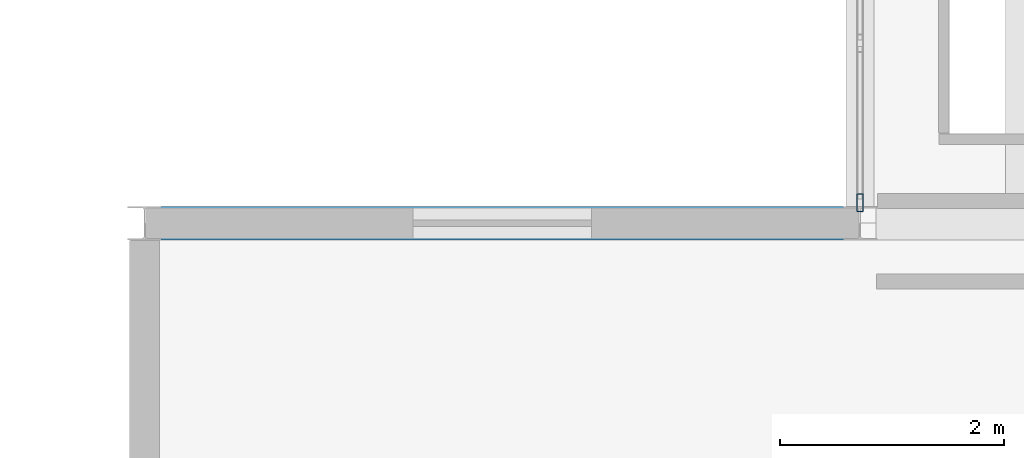
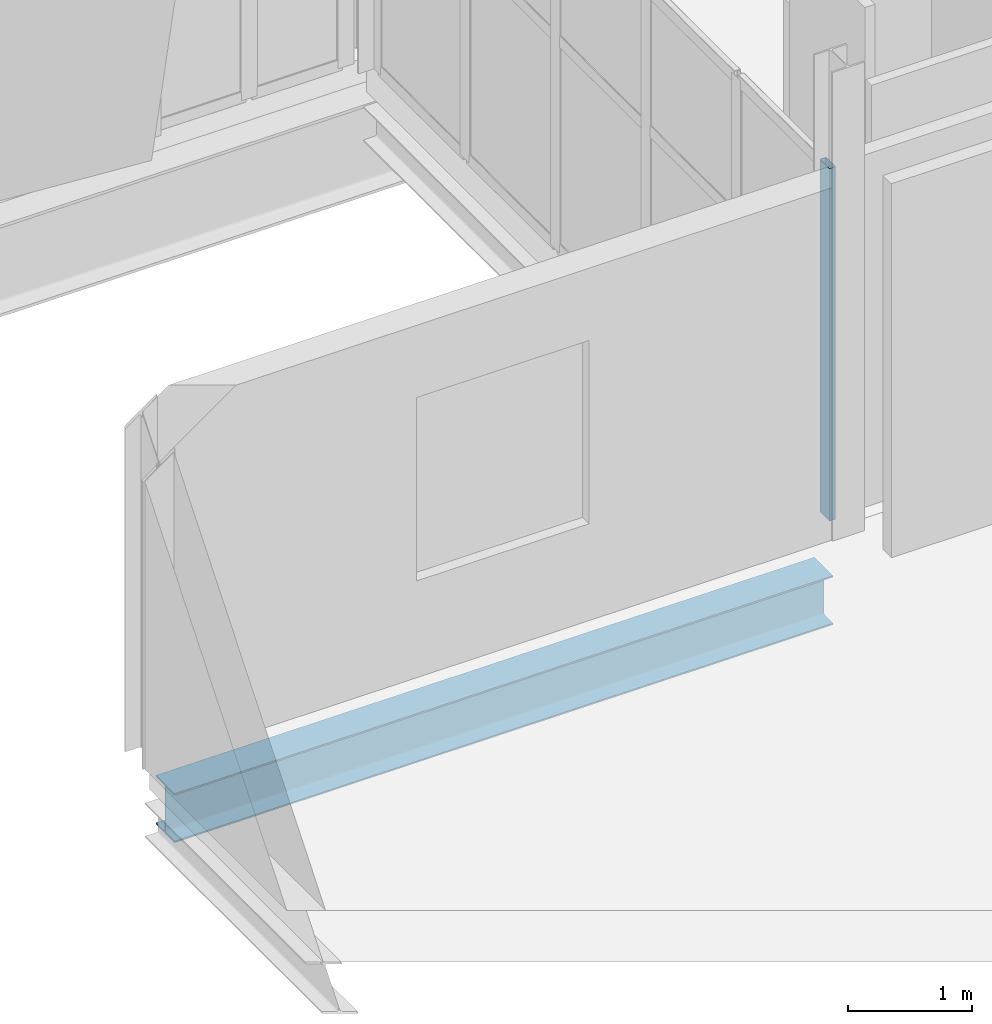
# One storey, part 10 of 136: 1 beam, 1 member, 1 element without a shape of its own.
"""IFC4 building model written with IfcOpenShell, lengths in metres."""

import ifcopenshell
import ifcopenshell.guid

model = None  # the IFC model being written
_history = None  # IfcOwnerHistory: only IFC2X3 demands one
_inside = {}  # id of a spatial element -> (the spatial element, [elements in it])
_under = {}  # id of a project, library or spatial element -> (it, [spatial elements below it])
_declared = {}  # id of a project -> (the project, [libraries it declares])
_typed = {}  # id of a type object -> (the type object, [elements of that type])
_made_of = {}  # id of a material, layer set ... -> (it, [elements and type objects made of it])


def new_model(schema):
    """Start an empty IFC model of exactly this schema.

    Asked for "IFC4X3", IfcOpenShell would pick the latest addendum, in which some entities
    have other attributes; the version numbers below select the first issue.
    IFC2X3 requires an IfcOwnerHistory on every rooted entity: one is made here for all.
    """
    global model, _history
    if schema == "IFC4X3":
        model = ifcopenshell.file(schema_version=(4, 3, 0, 0))
    else:
        model = ifcopenshell.file(schema=schema)
    _inside.clear()
    _under.clear()
    _declared.clear()
    _typed.clear()
    _made_of.clear()
    _history = None
    if model.schema == "IFC2X3":
        org = make("IfcOrganization", Name="unknown")
        user = make(
            "IfcPersonAndOrganization",
            ThePerson=make("IfcPerson", FamilyName="unknown"),
            TheOrganization=org,
        )
        app = make(
            "IfcApplication",
            ApplicationDeveloper=org,
            Version="unknown",
            ApplicationFullName="unknown",
            ApplicationIdentifier="unknown",
        )
        _history = make(
            "IfcOwnerHistory",
            OwningUser=user,
            OwningApplication=app,
            ChangeAction="ADDED",
            CreationDate=0,
        )
    return model


def make(cls, **values):
    """One entity of the class cls with the attributes given. An attribute that is None is left unset."""
    return model.create_entity(
        cls, **{name: value for name, value in values.items() if value is not None}
    )


def rooted(cls, **values):
    """An entity with a GlobalId (a new one), such as an element, a storey or a relation."""
    return make(cls, GlobalId=ifcopenshell.guid.new(), OwnerHistory=_history, **values)


def si_unit(unit_type, name, prefix=None):
    """IfcSIUnit, for example si_unit("LENGTHUNIT", "METRE", prefix="MILLI")."""
    return make("IfcSIUnit", UnitType=unit_type, Prefix=prefix, Name=name)


def assignment(units):
    """IfcUnitAssignment: the units of a project."""
    return None if units is None else make("IfcUnitAssignment", Units=units)


def point(xyz):
    """IfcCartesianPoint."""
    return None if xyz is None else make("IfcCartesianPoint", Coordinates=xyz)


def direction(xyz):
    """IfcDirection."""
    return None if xyz is None else make("IfcDirection", DirectionRatios=xyz)


def frame(location, z_axis=None, x_axis=None):
    """IfcAxis2Placement3D, a coordinate frame: its origin and axes. An axis left out is left unset."""
    return make(
        "IfcAxis2Placement3D",
        Location=point(location),
        Axis=direction(z_axis),
        RefDirection=direction(x_axis),
    )


def frame_2d(location, x_axis=None):
    """IfcAxis2Placement2D, a coordinate frame in the plane: its origin and x axis."""
    return make(
        "IfcAxis2Placement2D", Location=point(location), RefDirection=direction(x_axis)
    )


def origin():
    """The frame at (0, 0, 0) with its axes left unset."""
    return frame((0.0, 0.0, 0.0))


def origin_2d():
    """The frame at (0, 0) in the plane with its x axis left unset."""
    return frame_2d((0.0, 0.0))


def place(relative_to, where):
    """IfcLocalPlacement: puts the frame where relative to a parent placement (None: the world)."""
    return make(
        "IfcLocalPlacement", PlacementRelTo=relative_to, RelativePlacement=where
    )


def context(
    kind, dimensions, precision=None, world=None, true_north=None, identifier=None
):
    """IfcGeometricRepresentationContext, for example the 3D "Model" context."""
    return make(
        "IfcGeometricRepresentationContext",
        ContextIdentifier=identifier,
        ContextType=kind,
        CoordinateSpaceDimension=dimensions,
        Precision=precision,
        WorldCoordinateSystem=world,
        TrueNorth=true_north,
    )


def subcontext(parent, identifier, kind, view, scale=None):
    """IfcGeometricRepresentationSubContext, for example "Body" below "Model"."""
    return make(
        "IfcGeometricRepresentationSubContext",
        ContextIdentifier=identifier,
        ContextType=kind,
        ParentContext=parent,
        TargetScale=scale,
        TargetView=view,
    )


def project(units=None, contexts=None):
    """IfcProject with its units and contexts."""
    return rooted(
        "IfcProject",
        Name="project",
        RepresentationContexts=contexts,
        UnitsInContext=assignment(units),
    )


def spatial(cls, under=None, at=None, **own):
    """A site, building, storey or space (cls), placed at a placement, below another one or the project."""
    s = rooted(cls, ObjectPlacement=at, **own)
    if under is not None:
        _under.setdefault(under.id(), (under, []))[1].append(s)
    return s


def profile(cls, at=None, kind="AREA", **sizes):
    """A parametric profile (cls). Its sizes go by their IFC names, for example OverallWidth=200.0."""
    return make(cls, ProfileType=kind, Position=at, **sizes)


def hollow_rectangle(**sizes):
    """IfcRectangleHollowProfileDef."""
    return profile("IfcRectangleHollowProfileDef", **sizes)


def i_section(**sizes):
    """IfcIShapeProfileDef."""
    return profile("IfcIShapeProfileDef", **sizes)


def extrude(swept, where, along, depth):
    """IfcExtrudedAreaSolid: the profile swept, set in the frame where, extruded along a direction by depth."""
    return make(
        "IfcExtrudedAreaSolid",
        SweptArea=swept,
        Position=where,
        ExtrudedDirection=direction(along),
        Depth=depth,
    )


def shape(context_of_items, identifier, shape_type, items):
    """IfcShapeRepresentation: the items that make up one representation, for example the "Body"."""
    return make(
        "IfcShapeRepresentation",
        ContextOfItems=context_of_items,
        RepresentationIdentifier=identifier,
        RepresentationType=shape_type,
        Items=items,
    )


def material(Name=None, Category=None):
    """IfcMaterial."""
    return make("IfcMaterial", Name=Name, Category=Category)


def material_profile(
    of_material, cross_section, Name=None, Category=None, Priority=None
):
    """IfcMaterialProfile: a cross section and its material."""
    return make(
        "IfcMaterialProfile",
        Name=Name,
        Material=of_material,
        Profile=cross_section,
        Priority=Priority,
        Category=Category,
    )


def profile_set(profiles, Name=None, composite=None):
    """IfcMaterialProfileSet."""
    return make(
        "IfcMaterialProfileSet",
        Name=Name,
        MaterialProfiles=profiles,
        CompositeProfile=composite,
    )


def made_of(thing, what):
    """Note that an element or type object is made of a material, layer set ...; save() writes the relation."""
    if what is not None:
        _made_of.setdefault(what.id(), (what, []))[1].append(thing)
    return thing


def type_object(cls, material=None, **own):
    """A type object (cls), such as IfcWallType, which elements share."""
    return made_of(rooted(cls, **own), material)


def element(
    cls,
    number,
    at=None,
    inside=None,
    cuts=None,
    type_object=None,
    material=None,
    context=None,
    identifier="Body",
    shape_type=None,
    held_by="IfcProductDefinitionShape",
    body=None,
    shapes=None,
    **own,
):
    """One element of the class cls, such as IfcWall. Its Tag is "e" and its number.

    at: its placement. inside: the storey or other place that contains it. cuts: it is an
    opening in that element (IfcRelVoidsElement). A single representation is given by context,
    identifier, shape_type and body (its items); several are given by shapes. held_by: the class
    of the entity that holds the representations. save() writes the other relations.
    """
    e = rooted(cls, Tag="e%d" % number, ObjectPlacement=at, **own)
    if body is not None:
        shapes = [shape(context, identifier, shape_type, body)]
    if shapes is not None:
        e.Representation = make(held_by, Representations=shapes)
    if inside is not None:
        _inside.setdefault(inside.id(), (inside, []))[1].append(e)
    if cuts is not None:
        rooted(
            "IfcRelVoidsElement", RelatingBuildingElement=cuts, RelatedOpeningElement=e
        )
    if type_object is not None:
        _typed.setdefault(type_object.id(), (type_object, []))[1].append(e)
    return made_of(e, material)


def aggregate(whole, parts):
    """IfcRelAggregates: a whole, such as a stair, and the parts it consists of."""
    return rooted("IfcRelAggregates", RelatingObject=whole, RelatedObjects=parts)


def save(model, path):
    """Write the relations noted so far, then the file.

    IfcRelAggregates (storeys below a building ...), IfcRelContainedInSpatialStructure (elements
    in a storey), IfcRelDefinesByType, IfcRelAssociatesMaterial and IfcRelDeclares: one each for
    every whole, place, type object, material and project.
    """
    for whole, parts in _under.values():
        aggregate(whole, parts)
    for where, things in _inside.values():
        rooted(
            "IfcRelContainedInSpatialStructure",
            RelatedElements=things,
            RelatingStructure=where,
        )
    for kind, things in _typed.values():
        rooted("IfcRelDefinesByType", RelatedObjects=things, RelatingType=kind)
    for what, things in _made_of.values():
        rooted("IfcRelAssociatesMaterial", RelatedObjects=things, RelatingMaterial=what)
    for by, libraries in _declared.values():
        rooted("IfcRelDeclares", RelatingContext=by, RelatedDefinitions=libraries)
    model.write(path)


model = new_model("IFC4")

# Units and contexts
model_context = context("Model", 3, precision=1e-05, world=origin(), true_north=direction((0.0, 1.0)))
body_context = subcontext(model_context, "Body", "Model", "MODEL_VIEW")
ifc_project = project(units=[si_unit("LENGTHUNIT", "METRE"), si_unit("AREAUNIT", "SQUARE_METRE"), si_unit("VOLUMEUNIT", "CUBIC_METRE"), si_unit("PLANEANGLEUNIT", "RADIAN"), si_unit("MASSUNIT", "GRAM", prefix="KILO")], contexts=[model_context])

# Site, building, storey
site_placement = place(None, origin())
site = spatial("IfcSite", under=ifc_project, at=site_placement, CompositionType="ELEMENT")
building_placement = place(site_placement, origin())
building = spatial("IfcBuilding", under=site, at=building_placement, Name="Shengluoqiao Park Theatre", CompositionType="ELEMENT")
storey_placement = place(building_placement, frame((0.0, 0.0, 10.0)))
storey = spatial("IfcBuildingStorey", under=building, at=storey_placement, Name="L02", CompositionType="ELEMENT", Elevation=10.0)

# Curtain wall, member
ifc_material_1 = material(Name="Aluminium 6063-T6", Category="aluminium")
curtain_wall_type = type_object("IfcCurtainWallType", Name="ENV-CW-COURT", PredefinedType="NOTDEFINED", material=ifc_material_1)
curtain_wall_placement = place(storey_placement, origin())
curtain_wall = element("IfcCurtainWall", 1, at=curtain_wall_placement, inside=storey, type_object=curtain_wall_type, Name="L02 Curtain Wall CWX-L02-0165", PredefinedType="NOTDEFINED")
ifc_material_profile_1 = material_profile(ifc_material_1, hollow_rectangle(XDim=0.06005859375, YDim=0.159912109375, WallThickness=0.00390625, InnerFilletRadius=0.00390625, OuterFilletRadius=0.008056640625, at=origin_2d()), Name="ALU MULLION 160x60x4")
ifc_profile_set_1 = profile_set([ifc_material_profile_1], Name="Aluminium 6063-T6")
member_type = type_object("IfcMemberType", Name="ENV-MUL-160", PredefinedType="MULLION", material=ifc_profile_set_1)
member_placement = place(storey_placement, frame((19.199951171875, 22.98388671875, 0.0), z_axis=(0.0, 0.0, 1.0), x_axis=(-1.0, 0.0, 0.0)))
member = element("IfcMember", 2, at=member_placement, type_object=member_type, Name="CW-05 mullion 1", PredefinedType="MULLION", context=body_context, shape_type="SweptSolid", body=[
    extrude(hollow_rectangle(XDim=0.06005859375, YDim=0.159912109375, WallThickness=0.00390625, InnerFilletRadius=0.00390625, OuterFilletRadius=0.008056640625, at=origin_2d()), origin(), (0.0, 0.0, 1.0), 3.4580078125),
])
aggregate(curtain_wall, [member])

# Beam
ifc_material_2 = material(Name="Steel Q355", Category="steel")
ifc_material_profile_2 = material_profile(ifc_material_2, i_section(OverallWidth=0.300048828125, OverallDepth=0.48193359375, WebThickness=0.010986328125, FlangeThickness=0.014892578125, FilletRadius=0.02197265625, at=origin_2d()), Name="HM 482x300x11x15")
ifc_profile_set_2 = profile_set([ifc_material_profile_2], Name="Steel Q355")
beam_type = type_object("IfcBeamType", Name="STR-BM-G-HM482", PredefinedType="BEAM", material=ifc_profile_set_2)
beam_placement = place(storey_placement, frame((12.944091796875, 22.800048828125, -0.5810546875), z_axis=(1.0, 0.0, 0.0), x_axis=(0.0, 1.0, 0.0)))
element("IfcBeam", 3, at=beam_placement, inside=storey, type_object=beam_type, Name="L02 Primary Girder 00896", PredefinedType="BEAM", context=body_context, shape_type="SweptSolid", body=[
    extrude(i_section(OverallWidth=0.300048828125, OverallDepth=0.48193359375, WebThickness=0.010986328125, FlangeThickness=0.014892578125, FilletRadius=0.02197265625, at=origin_2d()), origin(), (0.0, 0.0, 1.0), 6.11181640625),
])

save(model, "model.ifc")
